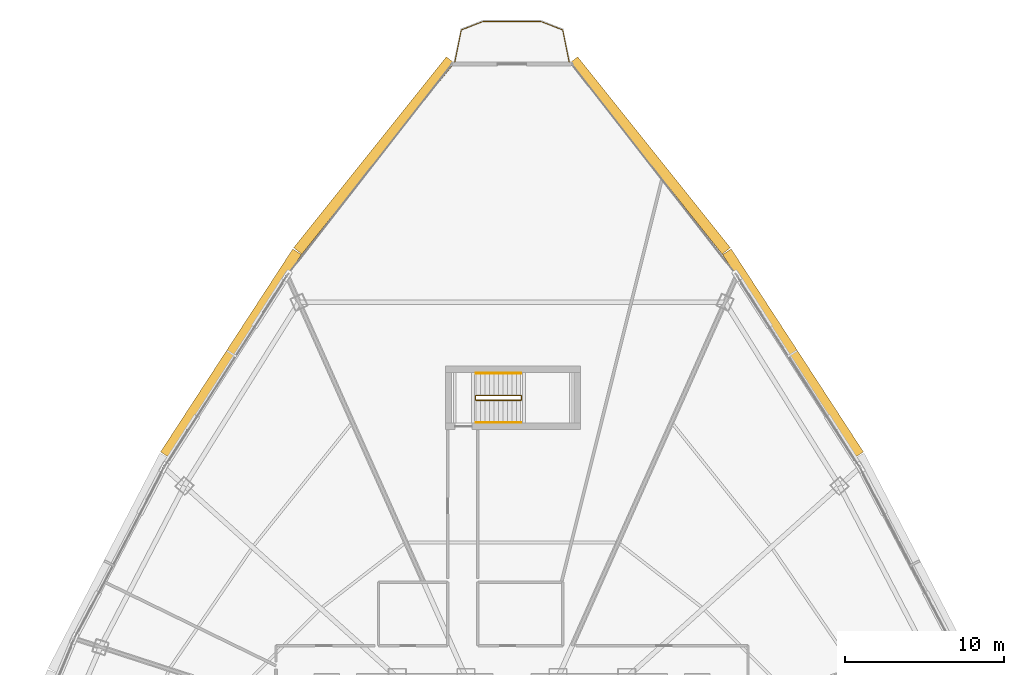
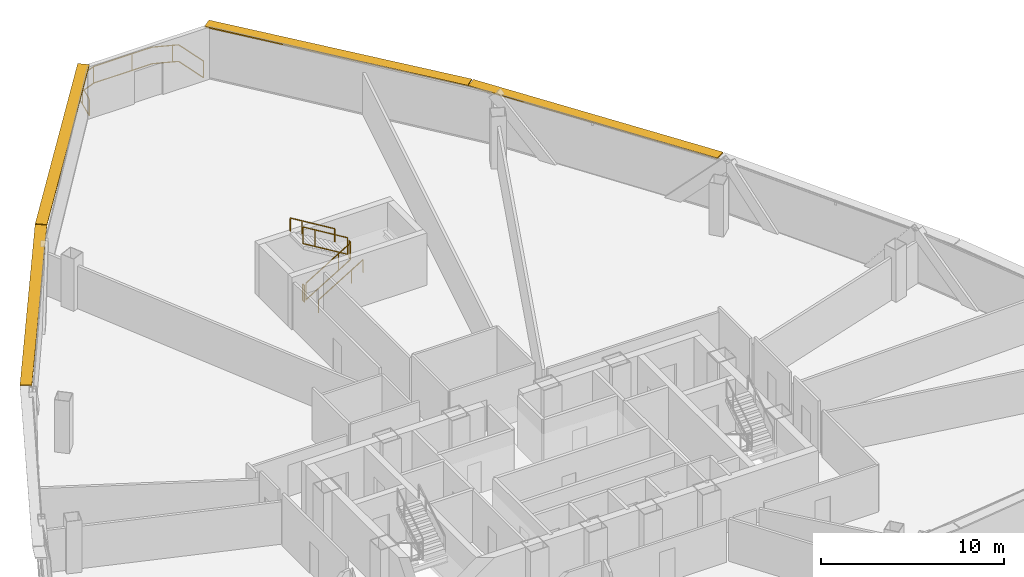
# One storey, part 36 of 37: 7 railings, 4 shading devices.
"""IFC4 building model written with IfcOpenShell, lengths in metres."""

from ifc_helpers import new_model, si_unit, direction, frame, origin, origin_2d, place, context, subcontext, project, spatial, rectangle, extrude, source, transform, mapped, material, layer, layer_set, type_object, element, save


model = new_model("IFC4")

# Units and contexts
model_context = context("Model", 3, precision=1e-05, world=origin(), true_north=direction((0.0, 1.0)))
body_context = subcontext(model_context, "Body", "Model", "MODEL_VIEW")
ifc_project = project(units=[si_unit("LENGTHUNIT", "METRE"), si_unit("AREAUNIT", "SQUARE_METRE"), si_unit("VOLUMEUNIT", "CUBIC_METRE"), si_unit("PLANEANGLEUNIT", "RADIAN"), si_unit("MASSUNIT", "GRAM", prefix="KILO"), si_unit("THERMODYNAMICTEMPERATUREUNIT", "KELVIN"), si_unit("POWERUNIT", "WATT")], contexts=[model_context])

# Site, building, storey
site_placement = place(None, origin())
site = spatial("IfcSite", under=ifc_project, at=site_placement, CompositionType="ELEMENT")
building_placement = place(site_placement, origin())
building = spatial("IfcBuilding", under=site, at=building_placement, Name="Yunzhuo Pagoda Commons", CompositionType="ELEMENT")
storey_placement = place(building_placement, frame((0.0, 0.0, 251.989990234375)))
storey = spatial("IfcBuildingStorey", under=building, at=storey_placement, Name="L63", CompositionType="ELEMENT", Elevation=251.989990234375)

# Railings
ifc_material = material(Name="Anodized aluminium 6063-T6", Category="aluminium")
railing_type_1 = type_object("IfcRailingType", Name="GR-ST3 North Well Guardrail 1155", PredefinedType="GUARDRAIL", material=ifc_material)
railing_1_placement = place(storey_placement, frame((45.75, 57.64990234375, 0.16943359375)))
element("IfcRailing", 1, at=railing_1_placement, inside=storey, type_object=railing_type_1, Name="L63 ST3 stair guard 1", PredefinedType="GUARDRAIL", context=body_context, shape_type="SweptSolid", body=[
    extrude(rectangle(XDim=0.048095703125, YDim=0.048095703125, at=origin_2d()), frame((0.0, 0.0, 1.1259765625), z_axis=(0.855393119324, 0.0, 0.517979354234), x_axis=(0.0, 1.0, 0.0)), (0.0, 0.0, 1.0), 3.2734375),
    extrude(rectangle(XDim=0.048095703125, YDim=0.048095703125, at=origin_2d()), frame((0.0, 0.0, 0.02392578125), z_axis=(0.855393119324, 0.0, 0.517979354234), x_axis=(0.0, 1.0, 0.0)), (0.0, 0.0, 1.0), 3.2734375),
    extrude(rectangle(XDim=0.0419921875, YDim=0.0419921875, at=origin_2d()), origin(), (0.0, 0.0, 1.0), 1.101806640625),
    extrude(rectangle(XDim=0.0419921875, YDim=0.0419921875, at=origin_2d()), frame((2.052978515625, 0.0, 1.2431640625)), (0.0, 0.0, 1.0), 1.101806640625),
    extrude(rectangle(XDim=0.0419921875, YDim=0.0419921875, at=origin_2d()), frame((2.800048828125, 0.0, 1.695556640625)), (0.0, 0.0, 1.0), 1.101806640625),
])
railing_2_placement = place(storey_placement, frame((48.60009765625, 57.699951171875, 1.864990234375)))
element("IfcRailing", 2, at=railing_2_placement, inside=storey, type_object=railing_type_1, Name="L63 ST3 stair guard 2", PredefinedType="GUARDRAIL", context=body_context, shape_type="SweptSolid", body=[
    extrude(rectangle(XDim=0.048095703125, YDim=0.048095703125, at=origin_2d()), frame((0.0, 0.0, 1.1259765625), z_axis=(0.0, 1.0, 0.0), x_axis=(-1.0, 0.0, 0.0)), (0.0, 0.0, 1.0), 0.199951171875),
    extrude(rectangle(XDim=0.048095703125, YDim=0.048095703125, at=origin_2d()), frame((0.0, 0.0, 0.02392578125), z_axis=(0.0, 1.0, 0.0), x_axis=(-1.0, 0.0, 0.0)), (0.0, 0.0, 1.0), 0.199951171875),
    extrude(rectangle(XDim=0.0419921875, YDim=0.0419921875, at=origin_2d()), origin(), (0.0, 0.0, 1.0), 1.101806640625),
    extrude(rectangle(XDim=0.0419921875, YDim=0.0419921875, at=origin_2d()), frame((0.0, 0.199951171875, 0.0)), (0.0, 0.0, 1.0), 1.101806640625),
])
railing_3_placement = place(storey_placement, frame((48.550048828125, 57.949951171875, 2.03466796875)))
element("IfcRailing", 3, at=railing_3_placement, inside=storey, type_object=railing_type_1, Name="L63 ST3 stair guard 3", PredefinedType="GUARDRAIL", context=body_context, shape_type="SweptSolid", body=[
    extrude(rectangle(XDim=0.048095703125, YDim=0.048095703125, at=origin_2d()), frame((0.0, 0.0, 1.1259765625), z_axis=(-0.855426164822, 0.0, 0.517924778841), x_axis=(0.0, -1.0, 0.0)), (0.0, 0.0, 1.0), 3.273193359375),
    extrude(rectangle(XDim=0.048095703125, YDim=0.048095703125, at=origin_2d()), frame((0.0, 0.0, 0.02392578125), z_axis=(-0.855426164822, 0.0, 0.517924778841), x_axis=(0.0, -1.0, 0.0)), (0.0, 0.0, 1.0), 3.273193359375),
    extrude(rectangle(XDim=0.0419921875, YDim=0.0419921875, at=origin_2d()), origin(), (0.0, 0.0, 1.0), 1.101806640625),
    extrude(rectangle(XDim=0.0419921875, YDim=0.0419921875, at=origin_2d()), frame((-2.052978515625, 0.0, 1.242919921875)), (0.0, 0.0, 1.0), 1.101806640625),
    extrude(rectangle(XDim=0.0419921875, YDim=0.0419921875, at=origin_2d()), frame((-2.800048828125, 0.0, 1.6953125)), (0.0, 0.0, 1.0), 1.101806640625),
])
railing_4_placement = place(storey_placement, frame((45.699951171875, 57.699951171875, 0.0)))
element("IfcRailing", 4, at=railing_4_placement, inside=storey, type_object=railing_type_1, Name="L63 ST3 stair guard 4", PredefinedType="GUARDRAIL", context=body_context, shape_type="SweptSolid", body=[
    extrude(rectangle(XDim=0.048095703125, YDim=0.048095703125, at=origin_2d()), frame((0.0, 0.0, 1.1259765625), z_axis=(0.0, 1.0, 0.0), x_axis=(-1.0, 0.0, 0.0)), (0.0, 0.0, 1.0), 0.199951171875),
    extrude(rectangle(XDim=0.048095703125, YDim=0.048095703125, at=origin_2d()), frame((0.0, 0.0, 0.02392578125), z_axis=(0.0, 1.0, 0.0), x_axis=(-1.0, 0.0, 0.0)), (0.0, 0.0, 1.0), 0.199951171875),
    extrude(rectangle(XDim=0.0419921875, YDim=0.0419921875, at=origin_2d()), origin(), (0.0, 0.0, 1.0), 1.101806640625),
    extrude(rectangle(XDim=0.0419921875, YDim=0.0419921875, at=origin_2d()), frame((0.0, 0.199951171875, 0.0)), (0.0, 0.0, 1.0), 1.101806640625),
])
railing_type_2 = type_object("IfcRailingType", Name="HR-ST3 North Stair Handrail 900", PredefinedType="HANDRAIL", material=ifc_material)
railing_5_placement = place(storey_placement, frame((45.75, 56.25, 0.16943359375)))
element("IfcRailing", 5, at=railing_5_placement, inside=storey, type_object=railing_type_2, Name="L63 ST3 stair handrail 1", PredefinedType="HANDRAIL", context=body_context, shape_type="SweptSolid", body=[
    extrude(rectangle(XDim=0.048095703125, YDim=0.048095703125, at=origin_2d()), frame((0.0, 0.0, 0.8759765625), z_axis=(0.855393119324, 0.0, 0.517979354234), x_axis=(0.0, 1.0, 0.0)), (0.0, 0.0, 1.0), 3.2734375),
    extrude(rectangle(XDim=0.0419921875, YDim=0.0419921875, at=origin_2d()), origin(), (0.0, 0.0, 1.0), 0.851806640625),
    extrude(rectangle(XDim=0.0419921875, YDim=0.0419921875, at=origin_2d()), frame((2.052978515625, 0.0, 1.2431640625)), (0.0, 0.0, 1.0), 0.851806640625),
    extrude(rectangle(XDim=0.0419921875, YDim=0.0419921875, at=origin_2d()), frame((2.800048828125, 0.0, 1.695556640625)), (0.0, 0.0, 1.0), 0.851806640625),
])
railing_6_placement = place(storey_placement, frame((48.550048828125, 59.35009765625, 2.03466796875)))
element("IfcRailing", 6, at=railing_6_placement, inside=storey, type_object=railing_type_2, Name="L63 ST3 stair handrail 2", PredefinedType="HANDRAIL", context=body_context, shape_type="SweptSolid", body=[
    extrude(rectangle(XDim=0.048095703125, YDim=0.048095703125, at=origin_2d()), frame((0.0, 0.0, 0.8759765625), z_axis=(-0.855426164822, 0.0, 0.517924778841), x_axis=(0.0, -1.0, 0.0)), (0.0, 0.0, 1.0), 3.273193359375),
    extrude(rectangle(XDim=0.0419921875, YDim=0.0419921875, at=origin_2d()), origin(), (0.0, 0.0, 1.0), 0.851806640625),
    extrude(rectangle(XDim=0.0419921875, YDim=0.0419921875, at=origin_2d()), frame((-2.052978515625, 0.0, 1.242919921875)), (0.0, 0.0, 1.0), 0.851806640625),
    extrude(rectangle(XDim=0.0419921875, YDim=0.0419921875, at=origin_2d()), frame((-2.800048828125, 0.0, 1.6953125)), (0.0, 0.0, 1.0), 0.851806640625),
])
railing_type_3 = type_object("IfcRailingType", Name="RL-BAL1 Exterior Terrace & Balcony Balustrade 1150", PredefinedType="BALUSTRADE", material=ifc_material)
railing_7_placement = place(storey_placement, frame((51.596435546875, 78.92724609375, 0.0)))
element("IfcRailing", 7, at=railing_7_placement, inside=storey, type_object=railing_type_3, Name="L63 corner balcony balustrade V3", PredefinedType="BALUSTRADE", context=body_context, shape_type="SweptSolid", body=[
    extrude(rectangle(XDim=0.048095703125, YDim=0.048095703125, at=origin_2d()), frame((0.0, 0.0, 1.1259765625), z_axis=(-0.194314652384, 0.980939251875, 0.0), x_axis=(-0.980939251875, -0.194314652384, 0.0)), (0.0, 0.0, 1.0), 2.059326171875),
    extrude(rectangle(XDim=0.048095703125, YDim=0.048095703125, at=origin_2d()), frame((0.0, 0.0, 0.02392578125), z_axis=(-0.194314652384, 0.980939251875, 0.0), x_axis=(-0.980939251875, -0.194314652384, 0.0)), (0.0, 0.0, 1.0), 2.059326171875),
    extrude(rectangle(XDim=0.048095703125, YDim=0.048095703125, at=origin_2d()), frame((-0.400146484375, 2.02001953125, 1.1259765625), z_axis=(-0.931573469696, 0.363553119308, 0.0), x_axis=(-0.363553119308, -0.931573469696, 0.0)), (0.0, 0.0, 1.0), 1.4580078125),
    extrude(rectangle(XDim=0.048095703125, YDim=0.048095703125, at=origin_2d()), frame((-0.400146484375, 2.02001953125, 0.02392578125), z_axis=(-0.931573469696, 0.363553119308, 0.0), x_axis=(-0.363553119308, -0.931573469696, 0.0)), (0.0, 0.0, 1.0), 1.4580078125),
    extrude(rectangle(XDim=0.048095703125, YDim=0.048095703125, at=origin_2d()), frame((-1.75830078125, 2.550048828125, 1.1259765625), z_axis=(-1.0, 0.0, 0.0), x_axis=(0.0, -1.0, 0.0)), (0.0, 0.0, 1.0), 3.67626953125),
    extrude(rectangle(XDim=0.048095703125, YDim=0.048095703125, at=origin_2d()), frame((-1.75830078125, 2.550048828125, 0.02392578125), z_axis=(-1.0, 0.0, 0.0), x_axis=(0.0, -1.0, 0.0)), (0.0, 0.0, 1.0), 3.67626953125),
    extrude(rectangle(XDim=0.048095703125, YDim=0.048095703125, at=origin_2d()), frame((-5.4345703125, 2.550048828125, 1.1259765625), z_axis=(-0.931573469696, -0.363553119308, 0.0), x_axis=(0.363553119308, -0.931573469696, 0.0)), (0.0, 0.0, 1.0), 1.4580078125),
    extrude(rectangle(XDim=0.048095703125, YDim=0.048095703125, at=origin_2d()), frame((-5.4345703125, 2.550048828125, 0.02392578125), z_axis=(-0.931573469696, -0.363553119308, 0.0), x_axis=(0.363553119308, -0.931573469696, 0.0)), (0.0, 0.0, 1.0), 1.4580078125),
    extrude(rectangle(XDim=0.048095703125, YDim=0.048095703125, at=origin_2d()), frame((-6.792724609375, 2.02001953125, 1.1259765625), z_axis=(-0.194314652384, -0.980939251875, 0.0), x_axis=(0.980939251875, -0.194314652384, 0.0)), (0.0, 0.0, 1.0), 2.059326171875),
    extrude(rectangle(XDim=0.048095703125, YDim=0.048095703125, at=origin_2d()), frame((-6.792724609375, 2.02001953125, 0.02392578125), z_axis=(-0.194314652384, -0.980939251875, 0.0), x_axis=(0.980939251875, -0.194314652384, 0.0)), (0.0, 0.0, 1.0), 2.059326171875),
    extrude(rectangle(XDim=0.0419921875, YDim=0.0419921875, at=origin_2d()), origin(), (0.0, 0.0, 1.0), 1.101806640625),
    extrude(rectangle(XDim=0.0419921875, YDim=0.0419921875, at=origin_2d()), frame((-0.717529296875, 2.143798828125, 0.0)), (0.0, 0.0, 1.0), 1.101806640625),
    extrude(rectangle(XDim=0.0419921875, YDim=0.0419921875, at=origin_2d()), frame((-3.041015625, 2.550048828125, 0.0)), (0.0, 0.0, 1.0), 1.101806640625),
    extrude(rectangle(XDim=0.0419921875, YDim=0.0419921875, at=origin_2d()), frame((-5.440673828125, 2.547607421875, 0.0)), (0.0, 0.0, 1.0), 1.101806640625),
    extrude(rectangle(XDim=0.0419921875, YDim=0.0419921875, at=origin_2d()), frame((-6.97705078125, 1.08935546875, 0.0)), (0.0, 0.0, 1.0), 1.101806640625),
    extrude(rectangle(XDim=0.0419921875, YDim=0.0419921875, at=origin_2d()), frame((-7.19287109375, 0.0, 0.0)), (0.0, 0.0, 1.0), 1.101806640625),
])

# Shading devices
ifc_layer = layer(ifc_material, 0.080078125)
ifc_layer_set = layer_set([ifc_layer], Name="Anodized aluminium 6063-T6")
shading_device_type = type_object("IfcShadingDeviceType", Name="SH-SUN1 Pagoda Horizontal Sunshade Eave 650", PredefinedType="USERDEFINED", material=ifc_layer_set)
shared_shape_1 = source(origin(), body_context, "Body", "SweptSolid", [
    extrude(rectangle(XDim=15.388671875, YDim=0.64990234375, at=origin_2d()), origin(), (0.0, 0.0, 1.0), 0.080078125),
])
for number, where, z_axis, x_axis, name in (
    (8, (56.681640625, 73.052001953125, 3.389892578125), (0.0, 0.0, 1.0), (-0.624520471688, 0.781008438138, 0.0), "L63 horizontal pagoda sunshade eave F2.4"),
    (9, (39.318359375, 73.052001953125, 3.389892578125), (0.0, 0.0, 1.0), (-0.624520471688, -0.781008438138, 0.0), "L63 horizontal pagoda sunshade eave F3.1"),
):
    element("IfcShadingDevice", number, at=place(storey_placement, frame(where, z_axis=z_axis, x_axis=x_axis)), inside=storey, type_object=shading_device_type, Name=name, ObjectType="SUNSHADE", PredefinedType="USERDEFINED", context=body_context, shape_type="MappedRepresentation", body=[
        mapped(shared_shape_1, transform((0.0, 0.0, 0.0), scale=1.0)),
    ])
shared_shape_2 = source(origin(), body_context, "Body", "SweptSolid", [
    extrude(rectangle(XDim=15.242431640625, YDim=0.64990234375, at=origin_2d()), origin(), (0.0, 0.0, 1.0), 0.080078125),
])
for number, where, z_axis, x_axis, name in (
    (10, (65.683837890625, 60.605712890625, 3.389892578125), (0.0, 0.0, 1.0), (-0.545838756973, 0.837890238269, 0.0), "L63 horizontal pagoda sunshade eave F2.3"),
    (11, (30.316162109375, 60.605712890625, 3.389892578125), (0.0, 0.0, 1.0), (-0.545838756973, -0.837890238269, 0.0), "L63 horizontal pagoda sunshade eave F3.2"),
):
    element("IfcShadingDevice", number, at=place(storey_placement, frame(where, z_axis=z_axis, x_axis=x_axis)), inside=storey, type_object=shading_device_type, Name=name, ObjectType="SUNSHADE", PredefinedType="USERDEFINED", context=body_context, shape_type="MappedRepresentation", body=[
        mapped(shared_shape_2, transform((0.0, 0.0, 0.0), scale=1.0)),
    ])

save(model, "model.ifc")
